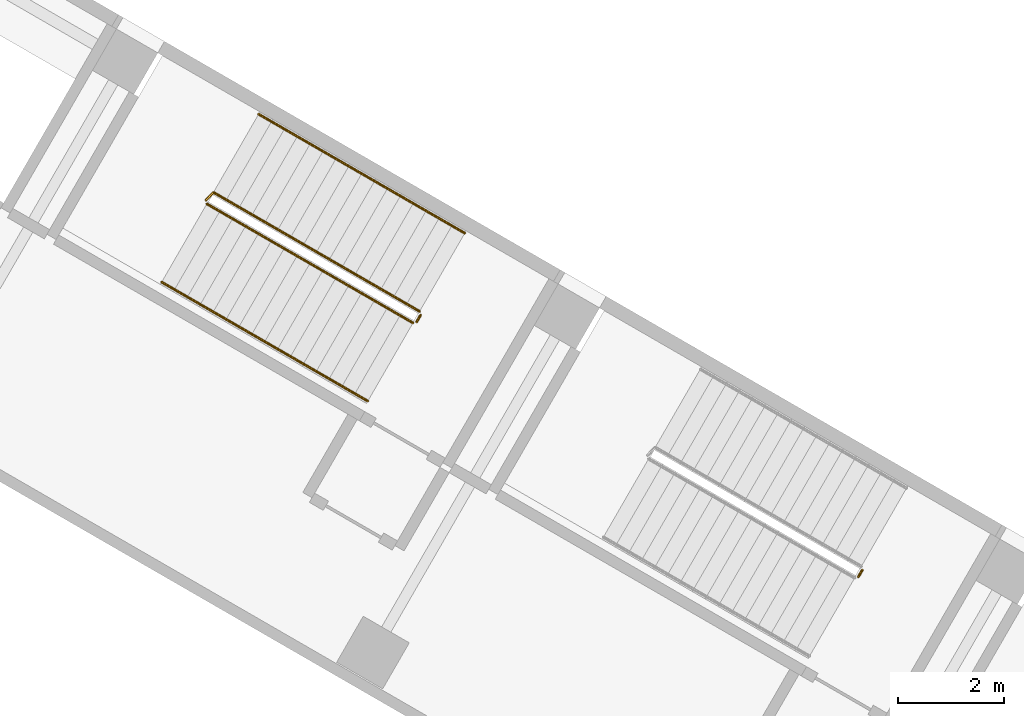
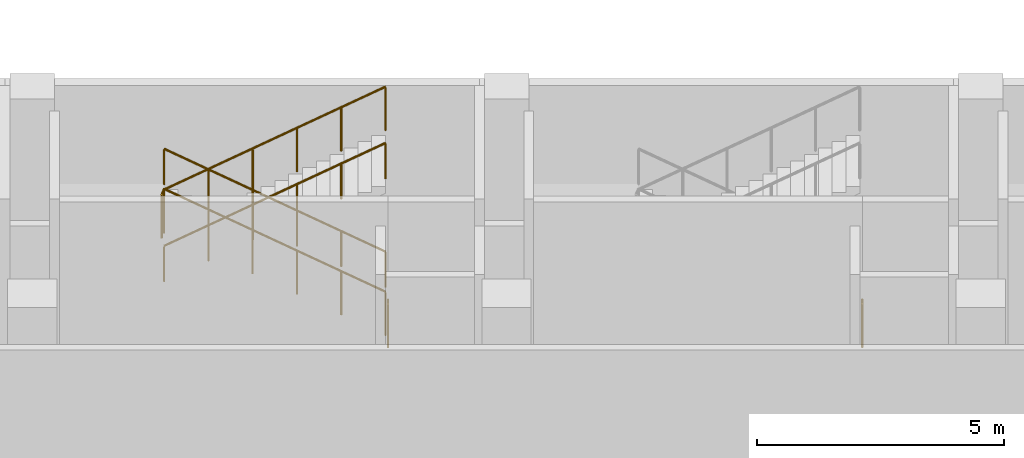
# One storey, part 31 of 35: 6 railings.
"""IFC4 building model written with IfcOpenShell, lengths in metres."""

import ifcopenshell
import ifcopenshell.guid

model = None  # the IFC model being written
_history = None  # IfcOwnerHistory: only IFC2X3 demands one
_inside = {}  # id of a spatial element -> (the spatial element, [elements in it])
_under = {}  # id of a project, library or spatial element -> (it, [spatial elements below it])
_declared = {}  # id of a project -> (the project, [libraries it declares])
_typed = {}  # id of a type object -> (the type object, [elements of that type])
_made_of = {}  # id of a material, layer set ... -> (it, [elements and type objects made of it])


def new_model(schema):
    """Start an empty IFC model of exactly this schema.

    Asked for "IFC4X3", IfcOpenShell would pick the latest addendum, in which some entities
    have other attributes; the version numbers below select the first issue.
    IFC2X3 requires an IfcOwnerHistory on every rooted entity: one is made here for all.
    """
    global model, _history
    if schema == "IFC4X3":
        model = ifcopenshell.file(schema_version=(4, 3, 0, 0))
    else:
        model = ifcopenshell.file(schema=schema)
    _inside.clear()
    _under.clear()
    _declared.clear()
    _typed.clear()
    _made_of.clear()
    _history = None
    if model.schema == "IFC2X3":
        org = make("IfcOrganization", Name="unknown")
        user = make(
            "IfcPersonAndOrganization",
            ThePerson=make("IfcPerson", FamilyName="unknown"),
            TheOrganization=org,
        )
        app = make(
            "IfcApplication",
            ApplicationDeveloper=org,
            Version="unknown",
            ApplicationFullName="unknown",
            ApplicationIdentifier="unknown",
        )
        _history = make(
            "IfcOwnerHistory",
            OwningUser=user,
            OwningApplication=app,
            ChangeAction="ADDED",
            CreationDate=0,
        )
    return model


def make(cls, **values):
    """One entity of the class cls with the attributes given. An attribute that is None is left unset."""
    return model.create_entity(
        cls, **{name: value for name, value in values.items() if value is not None}
    )


def rooted(cls, **values):
    """An entity with a GlobalId (a new one), such as an element, a storey or a relation."""
    return make(cls, GlobalId=ifcopenshell.guid.new(), OwnerHistory=_history, **values)


def si_unit(unit_type, name, prefix=None):
    """IfcSIUnit, for example si_unit("LENGTHUNIT", "METRE", prefix="MILLI")."""
    return make("IfcSIUnit", UnitType=unit_type, Prefix=prefix, Name=name)


def assignment(units):
    """IfcUnitAssignment: the units of a project."""
    return None if units is None else make("IfcUnitAssignment", Units=units)


def point(xyz):
    """IfcCartesianPoint."""
    return None if xyz is None else make("IfcCartesianPoint", Coordinates=xyz)


def direction(xyz):
    """IfcDirection."""
    return None if xyz is None else make("IfcDirection", DirectionRatios=xyz)


def frame(location, z_axis=None, x_axis=None):
    """IfcAxis2Placement3D, a coordinate frame: its origin and axes. An axis left out is left unset."""
    return make(
        "IfcAxis2Placement3D",
        Location=point(location),
        Axis=direction(z_axis),
        RefDirection=direction(x_axis),
    )


def frame_2d(location, x_axis=None):
    """IfcAxis2Placement2D, a coordinate frame in the plane: its origin and x axis."""
    return make(
        "IfcAxis2Placement2D", Location=point(location), RefDirection=direction(x_axis)
    )


def origin():
    """The frame at (0, 0, 0) with its axes left unset."""
    return frame((0.0, 0.0, 0.0))


def origin_2d():
    """The frame at (0, 0) in the plane with its x axis left unset."""
    return frame_2d((0.0, 0.0))


def place(relative_to, where):
    """IfcLocalPlacement: puts the frame where relative to a parent placement (None: the world)."""
    return make(
        "IfcLocalPlacement", PlacementRelTo=relative_to, RelativePlacement=where
    )


def context(
    kind, dimensions, precision=None, world=None, true_north=None, identifier=None
):
    """IfcGeometricRepresentationContext, for example the 3D "Model" context."""
    return make(
        "IfcGeometricRepresentationContext",
        ContextIdentifier=identifier,
        ContextType=kind,
        CoordinateSpaceDimension=dimensions,
        Precision=precision,
        WorldCoordinateSystem=world,
        TrueNorth=true_north,
    )


def subcontext(parent, identifier, kind, view, scale=None):
    """IfcGeometricRepresentationSubContext, for example "Body" below "Model"."""
    return make(
        "IfcGeometricRepresentationSubContext",
        ContextIdentifier=identifier,
        ContextType=kind,
        ParentContext=parent,
        TargetScale=scale,
        TargetView=view,
    )


def project(units=None, contexts=None):
    """IfcProject with its units and contexts."""
    return rooted(
        "IfcProject",
        Name="project",
        RepresentationContexts=contexts,
        UnitsInContext=assignment(units),
    )


def spatial(cls, under=None, at=None, **own):
    """A site, building, storey or space (cls), placed at a placement, below another one or the project."""
    s = rooted(cls, ObjectPlacement=at, **own)
    if under is not None:
        _under.setdefault(under.id(), (under, []))[1].append(s)
    return s


def profile(cls, at=None, kind="AREA", **sizes):
    """A parametric profile (cls). Its sizes go by their IFC names, for example OverallWidth=200.0."""
    return make(cls, ProfileType=kind, Position=at, **sizes)


def circle(**sizes):
    """IfcCircleProfileDef."""
    return profile("IfcCircleProfileDef", **sizes)


def extrude(swept, where, along, depth):
    """IfcExtrudedAreaSolid: the profile swept, set in the frame where, extruded along a direction by depth."""
    return make(
        "IfcExtrudedAreaSolid",
        SweptArea=swept,
        Position=where,
        ExtrudedDirection=direction(along),
        Depth=depth,
    )


def shape(context_of_items, identifier, shape_type, items):
    """IfcShapeRepresentation: the items that make up one representation, for example the "Body"."""
    return make(
        "IfcShapeRepresentation",
        ContextOfItems=context_of_items,
        RepresentationIdentifier=identifier,
        RepresentationType=shape_type,
        Items=items,
    )


def material(Name=None, Category=None):
    """IfcMaterial."""
    return make("IfcMaterial", Name=Name, Category=Category)


def made_of(thing, what):
    """Note that an element or type object is made of a material, layer set ...; save() writes the relation."""
    if what is not None:
        _made_of.setdefault(what.id(), (what, []))[1].append(thing)
    return thing


def type_object(cls, material=None, **own):
    """A type object (cls), such as IfcWallType, which elements share."""
    return made_of(rooted(cls, **own), material)


def element(
    cls,
    number,
    at=None,
    inside=None,
    cuts=None,
    type_object=None,
    material=None,
    context=None,
    identifier="Body",
    shape_type=None,
    held_by="IfcProductDefinitionShape",
    body=None,
    shapes=None,
    **own,
):
    """One element of the class cls, such as IfcWall. Its Tag is "e" and its number.

    at: its placement. inside: the storey or other place that contains it. cuts: it is an
    opening in that element (IfcRelVoidsElement). A single representation is given by context,
    identifier, shape_type and body (its items); several are given by shapes. held_by: the class
    of the entity that holds the representations. save() writes the other relations.
    """
    e = rooted(cls, Tag="e%d" % number, ObjectPlacement=at, **own)
    if body is not None:
        shapes = [shape(context, identifier, shape_type, body)]
    if shapes is not None:
        e.Representation = make(held_by, Representations=shapes)
    if inside is not None:
        _inside.setdefault(inside.id(), (inside, []))[1].append(e)
    if cuts is not None:
        rooted(
            "IfcRelVoidsElement", RelatingBuildingElement=cuts, RelatedOpeningElement=e
        )
    if type_object is not None:
        _typed.setdefault(type_object.id(), (type_object, []))[1].append(e)
    return made_of(e, material)


def aggregate(whole, parts):
    """IfcRelAggregates: a whole, such as a stair, and the parts it consists of."""
    return rooted("IfcRelAggregates", RelatingObject=whole, RelatedObjects=parts)


def save(model, path):
    """Write the relations noted so far, then the file.

    IfcRelAggregates (storeys below a building ...), IfcRelContainedInSpatialStructure (elements
    in a storey), IfcRelDefinesByType, IfcRelAssociatesMaterial and IfcRelDeclares: one each for
    every whole, place, type object, material and project.
    """
    for whole, parts in _under.values():
        aggregate(whole, parts)
    for where, things in _inside.values():
        rooted(
            "IfcRelContainedInSpatialStructure",
            RelatedElements=things,
            RelatingStructure=where,
        )
    for kind, things in _typed.values():
        rooted("IfcRelDefinesByType", RelatedObjects=things, RelatingType=kind)
    for what, things in _made_of.values():
        rooted("IfcRelAssociatesMaterial", RelatedObjects=things, RelatingMaterial=what)
    for by, libraries in _declared.values():
        rooted("IfcRelDeclares", RelatingContext=by, RelatedDefinitions=libraries)
    model.write(path)


model = new_model("IFC4")

# Units and contexts
model_context = context("Model", 3, precision=1e-05, world=origin(), true_north=direction((0.0, 1.0)))
body_context = subcontext(model_context, "Body", "Model", "MODEL_VIEW")
ifc_project = project(units=[si_unit("LENGTHUNIT", "METRE"), si_unit("AREAUNIT", "SQUARE_METRE"), si_unit("VOLUMEUNIT", "CUBIC_METRE"), si_unit("PLANEANGLEUNIT", "RADIAN"), si_unit("MASSUNIT", "GRAM", prefix="KILO")], contexts=[model_context])

# Site, building, storey
site_placement = place(None, origin())
site = spatial("IfcSite", under=ifc_project, at=site_placement, CompositionType="ELEMENT")
building_placement = place(site_placement, origin())
building = spatial("IfcBuilding", under=site, at=building_placement, Name="Mestral Congress Tower", CompositionType="ELEMENT")
storey_placement = place(building_placement, frame((0.0, 0.0, 6.0)))
storey = spatial("IfcBuildingStorey", under=building, at=storey_placement, Name="L01", CompositionType="ELEMENT", Elevation=6.0)

# Railings
ifc_material_1 = material(Name="Steel balustrade", Category="steel")
railing_type_1 = type_object("IfcRailingType", Name="Podium stair guard 1100", PredefinedType="GUARDRAIL", material=ifc_material_1)
railing_1_placement = place(storey_placement, frame((-22.185546875, 56.629638671875, 0.0)))
element("IfcRailing", 1, at=railing_1_placement, inside=storey, type_object=railing_type_1, Name="L01 PS-W2 stair guard 3", PredefinedType="GUARDRAIL", context=body_context, shape_type="SweptSolid", body=[
    extrude(circle(Radius=0.02392578125, at=origin_2d()), frame((0.0, 0.0, 1.076171875), z_axis=(-0.499816412211, -0.866131372301, 0.0), x_axis=(0.866131372301, -0.499816412211, 0.0)), (0.0, 0.0, 1.0), 0.14990234375),
    extrude(circle(Radius=0.02099609375, at=origin_2d()), origin(), (0.0, 0.0, 1.0), 1.052001953125),
    extrude(circle(Radius=0.02099609375, at=origin_2d()), frame((-0.074951171875, -0.1298828125, 0.0)), (0.0, 0.0, 1.0), 1.052001953125),
])
railing_2_placement = place(storey_placement, frame((-30.517578125, 61.498046875, 0.158935546875)))
element("IfcRailing", 2, at=railing_2_placement, inside=storey, type_object=railing_type_1, Name="L01 PS-W3 stair guard 1", PredefinedType="GUARDRAIL", context=body_context, shape_type="SweptSolid", body=[
    extrude(circle(Radius=0.02392578125, at=origin_2d()), frame((0.0, 0.0, 1.076171875), z_axis=(-0.753299937478, 0.434906048726, 0.493351733531), x_axis=(-0.499989762656, -0.866031314237, 0.0)), (0.0, 0.0, 1.0), 5.150634765625),
    extrude(circle(Radius=0.02392578125, at=origin_2d()), frame((-3.8798828125, 2.239990234375, 3.6171875), z_axis=(-0.694552208452, -0.71944230466, 0.0), x_axis=(0.71944230466, -0.694552208452, 0.0)), (0.0, 0.0, 1.0), 0.2060546875),
    extrude(circle(Radius=0.02099609375, at=origin_2d()), origin(), (0.0, 0.0, 1.0), 1.052001953125),
    extrude(circle(Radius=0.02099609375, at=origin_2d()), frame((-0.77587890625, 0.447998046875, 0.50830078125)), (0.0, 0.0, 1.0), 1.052001953125),
    extrude(circle(Radius=0.02099609375, at=origin_2d()), frame((-1.552001953125, 0.89599609375, 1.016357421875)), (0.0, 0.0, 1.0), 1.052001953125),
    extrude(circle(Radius=0.02099609375, at=origin_2d()), frame((-2.327880859375, 1.343994140625, 1.524658203125)), (0.0, 0.0, 1.0), 1.052001953125),
    extrude(circle(Radius=0.02099609375, at=origin_2d()), frame((-3.10400390625, 1.7919921875, 2.03271484375)), (0.0, 0.0, 1.0), 1.052001953125),
    extrude(circle(Radius=0.02099609375, at=origin_2d()), frame((-3.8798828125, 2.239990234375, 2.541015625)), (0.0, 0.0, 1.0), 1.052001953125),
    extrude(circle(Radius=0.02099609375, at=origin_2d()), frame((-4.02294921875, 2.091796875, 2.541015625)), (0.0, 0.0, 1.0), 1.052001953125),
])
railing_3_placement = place(storey_placement, frame((-34.5224609375, 63.521484375, 2.85888671875)))
element("IfcRailing", 3, at=railing_3_placement, inside=storey, type_object=railing_type_1, Name="L01 PS-W3 stair guard 2", PredefinedType="GUARDRAIL", context=body_context, shape_type="SweptSolid", body=[
    extrude(circle(Radius=0.02392578125, at=origin_2d()), frame((0.0, 0.0, 1.076171875), z_axis=(0.753299937478, -0.434906048726, 0.493351733531), x_axis=(0.499989762656, 0.866031314237, 0.0)), (0.0, 0.0, 1.0), 5.150634765625),
    extrude(circle(Radius=0.02099609375, at=origin_2d()), origin(), (0.0, 0.0, 1.0), 1.052001953125),
    extrude(circle(Radius=0.02099609375, at=origin_2d()), frame((0.77587890625, -0.447998046875, 0.50830078125)), (0.0, 0.0, 1.0), 1.052001953125),
    extrude(circle(Radius=0.02099609375, at=origin_2d()), frame((1.552001953125, -0.89599609375, 1.016357421875)), (0.0, 0.0, 1.0), 1.052001953125),
    extrude(circle(Radius=0.02099609375, at=origin_2d()), frame((2.327880859375, -1.343994140625, 1.524658203125)), (0.0, 0.0, 1.0), 1.052001953125),
    extrude(circle(Radius=0.02099609375, at=origin_2d()), frame((3.10400390625, -1.7919921875, 2.03271484375)), (0.0, 0.0, 1.0), 1.052001953125),
    extrude(circle(Radius=0.02099609375, at=origin_2d()), frame((3.8798828125, -2.239990234375, 2.541015625)), (0.0, 0.0, 1.0), 1.052001953125),
])
railing_4_placement = place(storey_placement, frame((-30.499267578125, 61.4296875, 0.0)))
element("IfcRailing", 4, at=railing_4_placement, inside=storey, type_object=railing_type_1, Name="L01 PS-W3 stair guard 3", PredefinedType="GUARDRAIL", context=body_context, shape_type="SweptSolid", body=[
    extrude(circle(Radius=0.02392578125, at=origin_2d()), frame((0.0, 0.0, 1.076171875), z_axis=(-0.499816412211, -0.866131372301, 0.0), x_axis=(0.866131372301, -0.499816412211, 0.0)), (0.0, 0.0, 1.0), 0.14990234375),
    extrude(circle(Radius=0.02099609375, at=origin_2d()), origin(), (0.0, 0.0, 1.0), 1.052001953125),
    extrude(circle(Radius=0.02099609375, at=origin_2d()), frame((-0.074951171875, -0.1298828125, 0.0)), (0.0, 0.0, 1.0), 1.052001953125),
])
ifc_material_2 = material(Name="Steel handrail", Category="steel")
railing_type_2 = type_object("IfcRailingType", Name="Podium stair handrail 900", PredefinedType="HANDRAIL", material=ifc_material_2)
railing_5_placement = place(storey_placement, frame((-29.66748046875, 62.97021484375, 0.158935546875)))
element("IfcRailing", 5, at=railing_5_placement, inside=storey, type_object=railing_type_2, Name="L01 PS-W3 stair handrail 1", PredefinedType="HANDRAIL", context=body_context, shape_type="SweptSolid", body=[
    extrude(circle(Radius=0.02392578125, at=origin_2d()), frame((0.0, 0.0, 0.8759765625), z_axis=(-0.753299937478, 0.434906048726, 0.493351733531), x_axis=(-0.499989762656, -0.866031314237, 0.0)), (0.0, 0.0, 1.0), 5.150634765625),
    extrude(circle(Radius=0.02099609375, at=origin_2d()), origin(), (0.0, 0.0, 1.0), 0.851806640625),
    extrude(circle(Radius=0.02099609375, at=origin_2d()), frame((-0.77587890625, 0.447998046875, 0.50830078125)), (0.0, 0.0, 1.0), 0.851806640625),
    extrude(circle(Radius=0.02099609375, at=origin_2d()), frame((-1.552001953125, 0.89599609375, 1.016357421875)), (0.0, 0.0, 1.0), 0.851806640625),
    extrude(circle(Radius=0.02099609375, at=origin_2d()), frame((-2.327880859375, 1.343994140625, 1.524658203125)), (0.0, 0.0, 1.0), 0.851806640625),
    extrude(circle(Radius=0.02099609375, at=origin_2d()), frame((-3.10400390625, 1.7919921875, 2.03271484375)), (0.0, 0.0, 1.0), 0.851806640625),
    extrude(circle(Radius=0.02099609375, at=origin_2d()), frame((-3.8798828125, 2.239990234375, 2.541015625)), (0.0, 0.0, 1.0), 0.851806640625),
])
railing_6_placement = place(storey_placement, frame((-35.372314453125, 62.04931640625, 2.85888671875)))
element("IfcRailing", 6, at=railing_6_placement, inside=storey, type_object=railing_type_2, Name="L01 PS-W3 stair handrail 2", PredefinedType="HANDRAIL", context=body_context, shape_type="SweptSolid", body=[
    extrude(circle(Radius=0.02392578125, at=origin_2d()), frame((0.0, 0.0, 0.8759765625), z_axis=(0.753299937478, -0.434906048726, 0.493351733531), x_axis=(0.499989762656, 0.866031314237, 0.0)), (0.0, 0.0, 1.0), 5.150634765625),
    extrude(circle(Radius=0.02099609375, at=origin_2d()), origin(), (0.0, 0.0, 1.0), 0.851806640625),
    extrude(circle(Radius=0.02099609375, at=origin_2d()), frame((0.77587890625, -0.447998046875, 0.50830078125)), (0.0, 0.0, 1.0), 0.851806640625),
    extrude(circle(Radius=0.02099609375, at=origin_2d()), frame((1.552001953125, -0.89599609375, 1.016357421875)), (0.0, 0.0, 1.0), 0.851806640625),
    extrude(circle(Radius=0.02099609375, at=origin_2d()), frame((2.327880859375, -1.343994140625, 1.524658203125)), (0.0, 0.0, 1.0), 0.851806640625),
    extrude(circle(Radius=0.02099609375, at=origin_2d()), frame((3.10400390625, -1.7919921875, 2.03271484375)), (0.0, 0.0, 1.0), 0.851806640625),
    extrude(circle(Radius=0.02099609375, at=origin_2d()), frame((3.8798828125, -2.239990234375, 2.541015625)), (0.0, 0.0, 1.0), 0.851806640625),
])

save(model, "model.ifc")
